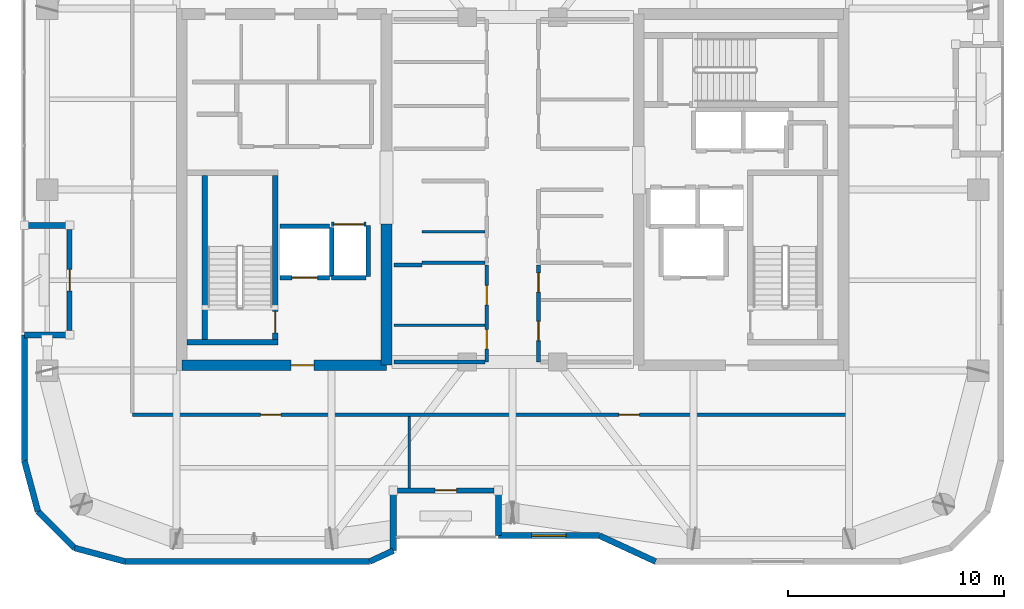
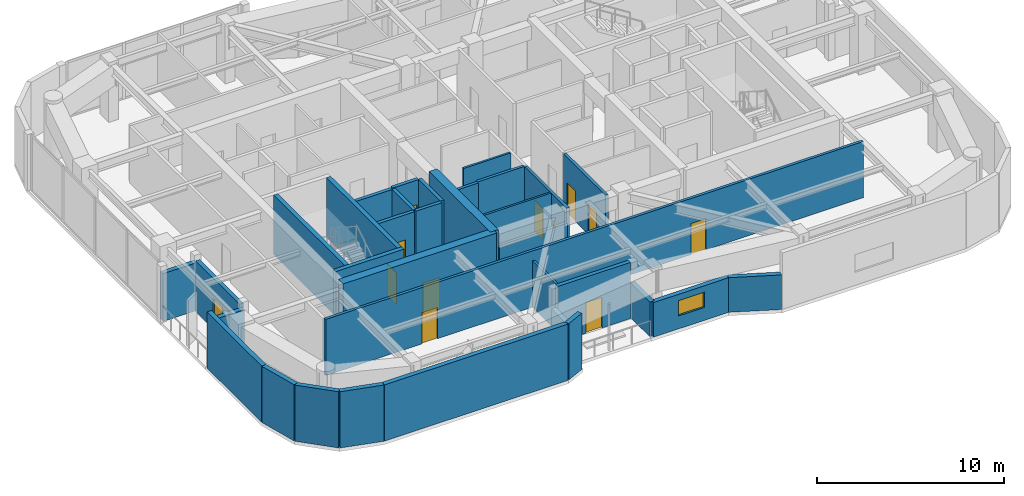
# One storey, part 10 of 15: 34 walls, 12 doors, 1 window, 13 openings.
"""IFC4 building model written with IfcOpenShell, lengths in metres."""

from ifc_helpers import new_model, si_unit, direction, frame, frame_2d, origin, place, context, subcontext, project, spatial, rectangle, extrude, material, layer, layer_set, type_object, element, fill, save


model = new_model("IFC4")

# Units and contexts
model_context = context("Model", 3, precision=1e-05, world=origin(), true_north=direction((0.0, 1.0)))
body_context = subcontext(model_context, "Body", "Model", "MODEL_VIEW")
ifc_project = project(units=[si_unit("LENGTHUNIT", "METRE"), si_unit("AREAUNIT", "SQUARE_METRE"), si_unit("VOLUMEUNIT", "CUBIC_METRE"), si_unit("PLANEANGLEUNIT", "RADIAN"), si_unit("MASSUNIT", "GRAM", prefix="KILO")], contexts=[model_context])

# Site, building, storey
site_placement = place(None, origin())
site = spatial("IfcSite", under=ifc_project, at=site_placement, CompositionType="ELEMENT")
building_placement = place(site_placement, origin())
building = spatial("IfcBuilding", under=site, at=building_placement, Name="Kiyonajd Concourse Tower", CompositionType="ELEMENT")
storey_placement = place(building_placement, frame((0.0, 0.0, 270.60009765625)))
storey = spatial("IfcBuildingStorey", under=building, at=storey_placement, Name="L68", CompositionType="ELEMENT", Elevation=270.60009765625)

# Wall
ifc_material_1 = material(Name="Concrete C60/75", Category="concrete")
ifc_layer_1 = layer(ifc_material_1, 0.5)
ifc_layer_set_1 = layer_set([ifc_layer_1], Name="Concrete C60/75")
wall_type_1 = type_object("IfcWallType", Name="WL-CORE-500", PredefinedType="SHEAR", material=ifc_layer_set_1)
wall_1_placement = place(storey_placement, frame((42.14990234375, 27.85009765625, 0.0), z_axis=(0.0, 0.0, 1.0), x_axis=(0.0, 1.0, 0.0)))
element("IfcWall", 1, at=wall_1_placement, inside=storey, type_object=wall_type_1, Name="L68 West Core Inner South Shear Wall", PredefinedType="SHEAR", context=body_context, shape_type="SweptSolid", body=[
    extrude(rectangle(XDim=6.5498046875, YDim=0.5, at=frame_2d((3.27490234375, 0.0))), origin(), (0.0, 0.0, 1.0), 3.89990234375),
])

# Wall, opening, door
wall_2_placement = place(storey_placement, frame((32.64990234375, 27.85009765625, 0.0), z_axis=(0.0, 0.0, 1.0), x_axis=(1.0, 0.0, 0.0)))
wall_2 = element("IfcWall", 2, at=wall_2_placement, inside=storey, type_object=wall_type_1, Name="L68 West Core South Shear Wall", PredefinedType="SHEAR", context=body_context, shape_type="SweptSolid", body=[
    extrude(rectangle(XDim=9.5, YDim=0.5, at=frame_2d((4.75, 0.0))), origin(), (0.0, 0.0, 1.0), 3.89990234375),
])
opening_1_placement = place(wall_2_placement, frame((5.074951171875, 0.0, 0.0)))
opening_1 = element("IfcOpeningElement", 3, at=opening_1_placement, cuts=wall_2, Name="Opening DF5", PredefinedType="OPENING", context=body_context, shape_type="SweptSolid", body=[
    extrude(rectangle(XDim=1.050048828125, YDim=2.0400390625, at=frame_2d((0.52490234375, 1.02001953125))), frame((0.0, 0.260009765625, 0.0), z_axis=(0.0, -1.0, 0.0), x_axis=(1.0, 0.0, 0.0)), (0.0, 0.0, 1.0), 0.52001953125),
])
ifc_material_2 = material(Name="Brushed Stainless Steel Cab Assembly", Category="steel")
door_type_1 = type_object("IfcDoorType", Name="DR-FD45-1050", OperationType="NOTDEFINED", PredefinedType="DOOR", material=ifc_material_2)
door_1_placement = place(opening_1_placement, origin())
door_1 = element("IfcDoor", 4, at=door_1_placement, inside=storey, type_object=door_type_1, Name="L68 Firefighting Lift Lobby W Smoke Door", OperationType="SINGLE_SWING_LEFT", OverallHeight=2.0400390625, OverallWidth=1.050048828125, PredefinedType="DOOR", context=body_context, shape_type="SweptSolid", body=[
    extrude(rectangle(XDim=1.050048828125, YDim=2.0400390625, at=frame_2d((0.52490234375, 1.02001953125))), frame((0.0, 0.02490234375, 0.0), z_axis=(0.0, -1.0, 0.0), x_axis=(1.0, 0.0, 0.0)), (0.0, 0.0, 1.0), 0.050048828125),
])
fill(opening_1, door_1)

# Walls
ifc_material_3 = material(Name="Precast concrete C50/60", Category="concrete")
ifc_layer_2 = layer(ifc_material_3, 0.280029296875)
ifc_layer_set_2 = layer_set([ifc_layer_2], Name="Precast concrete C50/60")
wall_type_2 = type_object("IfcWallType", Name="WL-EXT-280", PredefinedType="SOLIDWALL", material=ifc_layer_set_2)
wall_3_placement = place(storey_placement, frame((25.968505859375, 21.072509765625, 0.0), z_axis=(0.0, 0.0, 1.0), x_axis=(-0.258751159445, 0.965944013639, 0.0)))
element("IfcWall", 5, at=wall_3_placement, inside=storey, type_object=wall_type_2, Name="L68 Exterior Concrete Frame Wall 00", PredefinedType="SOLIDWALL", context=body_context, shape_type="SweptSolid", body=[
    extrude(rectangle(XDim=2.4287109375, YDim=0.280029296875, at=frame_2d((1.21435546875, 0.0))), origin(), (0.0, 0.0, 1.0), 3.679931640625),
])
wall_4_placement = place(storey_placement, frame((25.340087890625, 23.41845703125, 0.0), z_axis=(0.0, 0.0, 1.0), x_axis=(0.0, 1.0, 0.0)))
element("IfcWall", 6, at=wall_4_placement, inside=storey, type_object=wall_type_2, Name="L68 Exterior Concrete Frame Wall 01", PredefinedType="SOLIDWALL", context=body_context, shape_type="SweptSolid", body=[
    extrude(rectangle(XDim=5.841552734375, YDim=0.280029296875, at=frame_2d((2.9208984375, 0.0))), origin(), (0.0, 0.0, 1.0), 3.679931640625),
])
for number, where, z_axis, x_axis, name in (
    (7, (25.340087890625, 29.260009765625, 0.0), (0.0, 0.0, 1.0), (1.0, 0.0, 0.0), "L68 Exterior Concrete Frame Wall 02"),
    (8, (27.43994140625, 34.340087890625, 0.0), (0.0, 0.0, 1.0), (-1.0, 0.0, 0.0), "L68 Exterior Concrete Frame Wall 04"),
):
    element("IfcWall", number, at=place(storey_placement, frame(where, z_axis=z_axis, x_axis=x_axis)), inside=storey, type_object=wall_type_2, Name=name, PredefinedType="SOLIDWALL", context=body_context, shape_type="SweptSolid", body=[
        extrude(rectangle(XDim=2.099853515625, YDim=0.280029296875, at=frame_2d((1.0498046875, 0.0))), origin(), (0.0, 0.0, 1.0), 3.1259765625),
    ])
wall_5_placement = place(storey_placement, frame((54.630615234375, 18.739990234375, 0.0), z_axis=(0.0, 0.0, 1.0), x_axis=(-0.907956889006, 0.419063584324, 0.0)))
element("IfcWall", 9, at=wall_5_placement, inside=storey, type_object=wall_type_2, Name="L68 Exterior Concrete Frame Wall 29", PredefinedType="SOLIDWALL", context=body_context, shape_type="SweptSolid", body=[
    extrude(rectangle(XDim=2.863525390625, YDim=0.280029296875, at=frame_2d((1.431640625, 0.0))), origin(), (0.0, 0.0, 1.0), 2.264892578125),
])

# Wall, opening, window
wall_6_placement = place(storey_placement, frame((52.03076171875, 19.93994140625, 0.0), z_axis=(0.0, 0.0, 1.0), x_axis=(-1.0, 0.0, 0.0)))
wall_6 = element("IfcWall", 10, at=wall_6_placement, inside=storey, type_object=wall_type_2, Name="L68 Exterior Concrete Frame Wall 30", PredefinedType="SOLIDWALL", context=body_context, shape_type="SweptSolid", body=[
    extrude(rectangle(XDim=4.690673828125, YDim=0.280029296875, at=frame_2d((2.34521484375, 0.0))), origin(), (0.0, 0.0, 1.0), 2.264892578125),
])
opening_2_placement = place(wall_6_placement, frame((1.544921875, 0.0, 0.85009765625)))
opening_2 = element("IfcOpeningElement", 11, at=opening_2_placement, cuts=wall_6, Name="Opening WN6", PredefinedType="OPENING", context=body_context, shape_type="SweptSolid", body=[
    extrude(rectangle(XDim=1.60009765625, YDim=1.0, at=frame_2d((0.800048828125, 0.5))), frame((0.0, 0.14990234375, 0.0), z_axis=(0.0, -1.0, 0.0), x_axis=(1.0, 0.0, 0.0)), (0.0, 0.0, 1.0), 0.300048828125),
])
ifc_material_4 = material(Name="Double Low-E Insulated Glass", Category="glass")
window_type = type_object("IfcWindowType", Name="WN-VIS-1600x1000", PartitioningType="SINGLE_PANEL", PredefinedType="WINDOW", material=ifc_material_4)
window_placement = place(opening_2_placement, origin())
window = element("IfcWindow", 12, at=window_placement, inside=storey, type_object=window_type, Name="L68 Modular Facade Vision Window 30", OverallHeight=1.0, OverallWidth=1.60009765625, PartitioningType="SINGLE_PANEL", PredefinedType="WINDOW", context=body_context, shape_type="SweptSolid", body=[
    extrude(rectangle(XDim=1.60009765625, YDim=1.0, at=frame_2d((0.800048828125, 0.5))), frame((0.0, 0.030029296875, 0.0), z_axis=(0.0, -1.0, 0.0), x_axis=(1.0, 0.0, 0.0)), (0.0, 0.0, 1.0), 0.06005859375),
])
fill(opening_2, window)

# Walls
wall_7_placement = place(storey_placement, frame((47.340087890625, 19.93994140625, 0.0), z_axis=(0.0, 0.0, 1.0), x_axis=(0.0, 1.0, 0.0)))
element("IfcWall", 13, at=wall_7_placement, inside=storey, type_object=wall_type_2, Name="L68 Exterior Concrete Frame Wall 31", PredefinedType="SOLIDWALL", context=body_context, shape_type="SweptSolid", body=[
    extrude(rectangle(XDim=2.10009765625, YDim=0.280029296875, at=frame_2d((1.050048828125, 0.0))), origin(), (0.0, 0.0, 1.0), 2.264892578125),
])
wall_8_placement = place(storey_placement, frame((42.4599609375, 22.0400390625, 0.0), z_axis=(0.0, 0.0, 1.0), x_axis=(0.0, -1.0, 0.0)))
element("IfcWall", 14, at=wall_8_placement, inside=storey, type_object=wall_type_2, Name="L68 Exterior Concrete Frame Wall 33", PredefinedType="SOLIDWALL", context=body_context, shape_type="SweptSolid", body=[
    extrude(rectangle(XDim=2.79638671875, YDim=0.280029296875, at=frame_2d((1.398193359375, 0.0))), origin(), (0.0, 0.0, 1.0), 2.264892578125),
])
wall_9_placement = place(storey_placement, frame((42.4599609375, 19.24365234375, 0.0), z_axis=(0.0, 0.0, 1.0), x_axis=(-0.907893953211, -0.419199916176, 0.0)))
element("IfcWall", 15, at=wall_9_placement, inside=storey, type_object=wall_type_2, Name="L68 Exterior Concrete Frame Wall 34", PredefinedType="SOLIDWALL", context=body_context, shape_type="SweptSolid", body=[
    extrude(rectangle(XDim=1.201416015625, YDim=0.280029296875, at=frame_2d((0.6005859375, 0.0))), origin(), (0.0, 0.0, 1.0), 3.679931640625),
])
wall_10_placement = place(storey_placement, frame((41.369140625, 18.739990234375, 0.0), z_axis=(0.0, 0.0, 1.0), x_axis=(-1.0, 0.0, 0.0)))
element("IfcWall", 16, at=wall_10_placement, inside=storey, type_object=wall_type_2, Name="L68 Exterior Concrete Frame Wall 35", PredefinedType="SOLIDWALL", context=body_context, shape_type="SweptSolid", body=[
    extrude(rectangle(XDim=11.350830078125, YDim=0.280029296875, at=frame_2d((5.67529296875, 0.0))), origin(), (0.0, 0.0, 1.0), 3.679931640625),
])
wall_11_placement = place(storey_placement, frame((30.018310546875, 18.739990234375, 0.0), z_axis=(0.0, 0.0, 1.0), x_axis=(-0.965937282298, 0.25877628691, 0.0)))
element("IfcWall", 17, at=wall_11_placement, inside=storey, type_object=wall_type_2, Name="L68 Exterior Concrete Frame Wall 36", PredefinedType="SOLIDWALL", context=body_context, shape_type="SweptSolid", body=[
    extrude(rectangle(XDim=2.428466796875, YDim=0.280029296875, at=frame_2d((1.21435546875, 0.0))), origin(), (0.0, 0.0, 1.0), 3.679931640625),
])
wall_12_placement = place(storey_placement, frame((27.672607421875, 19.368408203125, 0.0), z_axis=(0.0, 0.0, 1.0), x_axis=(-0.707106781187, 0.707106781187, 0.0)))
element("IfcWall", 18, at=wall_12_placement, inside=storey, type_object=wall_type_2, Name="L68 Exterior Concrete Frame Wall 37", PredefinedType="SOLIDWALL", context=body_context, shape_type="SweptSolid", body=[
    extrude(rectangle(XDim=2.409912109375, YDim=0.280029296875, at=frame_2d((1.205078125, 0.0))), origin(), (0.0, 0.0, 1.0), 3.679931640625),
])

# Wall, opening, door
ifc_layer_3 = layer(ifc_material_3, 0.239990234375)
ifc_layer_set_3 = layer_set([ifc_layer_3], Name="Precast concrete C50/60")
wall_type_3 = type_object("IfcWallType", Name="WL-LOG-240", PredefinedType="SOLIDWALL", material=ifc_layer_set_3)
wall_13_placement = place(storey_placement, frame((27.43994140625, 29.455078125, 0.0), z_axis=(0.0, 0.0, 1.0), x_axis=(0.0, 1.0, 0.0)))
wall_13 = element("IfcWall", 19, at=wall_13_placement, inside=storey, type_object=wall_type_3, Name="L68 Recessed Loggia Thermal Wall LOG-W", PredefinedType="SOLIDWALL", context=body_context, shape_type="SweptSolid", body=[
    extrude(rectangle(XDim=4.68994140625, YDim=0.239990234375, at=frame_2d((2.344970703125, 0.0))), origin(), (0.0, 0.0, 1.0), 3.310791015625),
])
opening_3_placement = place(wall_13_placement, frame((1.844970703125, 0.0, 0.0)))
opening_3 = element("IfcOpeningElement", 20, at=opening_3_placement, cuts=wall_13, Name="Opening DL1", PredefinedType="OPENING", context=body_context, shape_type="SweptSolid", body=[
    extrude(rectangle(XDim=1.0, YDim=2.02001953125, at=frame_2d((0.5, 1.010009765625))), frame((0.0, 0.1298828125, 0.0), z_axis=(0.0, -1.0, 0.0), x_axis=(1.0, 0.0, 0.0)), (0.0, 0.0, 1.0), 0.260009765625),
])
ifc_material_5 = material(Name="Thermally Broken Anodised Aluminium", Category="aluminium")
door_type_2 = type_object("IfcDoorType", Name="DR-LOG-1000", OperationType="NOTDEFINED", PredefinedType="DOOR", material=ifc_material_5)
door_2_placement = place(opening_3_placement, origin())
door_2 = element("IfcDoor", 21, at=door_2_placement, inside=storey, type_object=door_type_2, Name="L68 Engawa Loggia Access Door LOG-W", OperationType="SINGLE_SWING_LEFT", OverallHeight=2.02001953125, OverallWidth=1.0, PredefinedType="DOOR", context=body_context, shape_type="SweptSolid", body=[
    extrude(rectangle(XDim=1.0, YDim=2.02001953125, at=frame_2d((0.5, 1.010009765625))), frame((0.0, 0.02490234375, 0.0), z_axis=(0.0, -1.0, 0.0), x_axis=(1.0, 0.0, 0.0)), (0.0, 0.0, 1.0), 0.050048828125),
])
fill(opening_3, door_2)

wall_14_placement = place(storey_placement, frame((47.14501953125, 22.0400390625, 0.0), z_axis=(0.0, 0.0, 1.0), x_axis=(-1.0, 0.0, 0.0)))
wall_14 = element("IfcWall", 22, at=wall_14_placement, inside=storey, type_object=wall_type_3, Name="L68 Recessed Loggia Thermal Wall LOG-S", PredefinedType="SOLIDWALL", context=body_context, shape_type="SweptSolid", body=[
    extrude(rectangle(XDim=4.489990234375, YDim=0.239990234375, at=frame_2d((2.2451171875, 0.0))), origin(), (0.0, 0.0, 1.0), 3.679931640625),
])
opening_4_placement = place(wall_14_placement, frame((1.7451171875, 0.0, 0.0)))
opening_4 = element("IfcOpeningElement", 23, at=opening_4_placement, cuts=wall_14, Name="Opening DL1", PredefinedType="OPENING", context=body_context, shape_type="SweptSolid", body=[
    extrude(rectangle(XDim=1.0, YDim=2.02001953125, at=frame_2d((0.5, 1.010009765625))), frame((0.0, 0.1298828125, 0.0), z_axis=(0.0, -1.0, 0.0), x_axis=(1.0, 0.0, 0.0)), (0.0, 0.0, 1.0), 0.260009765625),
])
door_3_placement = place(opening_4_placement, origin())
door_3 = element("IfcDoor", 24, at=door_3_placement, inside=storey, type_object=door_type_2, Name="L68 Engawa Loggia Access Door LOG-S", OperationType="SINGLE_SWING_RIGHT", OverallHeight=2.02001953125, OverallWidth=1.0, PredefinedType="DOOR", context=body_context, shape_type="SweptSolid", body=[
    extrude(rectangle(XDim=1.0, YDim=2.02001953125, at=frame_2d((0.5, 1.010009765625))), frame((0.0, 0.02490234375, 0.0), z_axis=(0.0, -1.0, 0.0), x_axis=(1.0, 0.0, 0.0)), (0.0, 0.0, 1.0), 0.050048828125),
])
fill(opening_4, door_3)

# Walls
ifc_material_6 = material(Name="Gypsum Board on Cold-Formed Steel Stud", Category="steel")
ifc_layer_4 = layer(ifc_material_6, 0.125)
ifc_layer_set_4 = layer_set([ifc_layer_4], Name="Gypsum Board on Cold-Formed Steel Stud")
wall_type_4 = type_object("IfcWallType", Name="WL-PART-125", PredefinedType="PARTITIONING", material=ifc_layer_set_4)
wall_15_placement = place(storey_placement, frame((43.800048828125, 34.0439453125, 0.0), z_axis=(0.0, 0.0, 1.0), x_axis=(1.0, 0.0, 0.0)))
element("IfcWall", 25, at=wall_15_placement, inside=storey, type_object=wall_type_4, Name="L68 Interior Partition Wall", PredefinedType="PARTITIONING", context=body_context, shape_type="SweptSolid", body=[
    extrude(rectangle(XDim=2.912841796875, YDim=0.125, at=frame_2d((1.45654296875, 0.0))), origin(), (0.0, 0.0, 1.0), 3.679931640625),
])
wall_16_placement = place(storey_placement, frame((42.5, 29.7099609375, 0.0), z_axis=(0.0, 0.0, 1.0), x_axis=(1.0, 0.0, 0.0)))
element("IfcWall", 26, at=wall_16_placement, inside=storey, type_object=wall_type_4, Name="L68 Interior Partition Wall", PredefinedType="PARTITIONING", context=body_context, shape_type="SweptSolid", body=[
    extrude(rectangle(XDim=4.212890625, YDim=0.125, at=frame_2d((2.1064453125, 0.0))), origin(), (0.0, 0.0, 1.0), 3.679931640625),
])
wall_17_placement = place(storey_placement, frame((43.199951171875, 22.155029296875, 0.0), z_axis=(0.0, 0.0, 1.0), x_axis=(0.0, 1.0, 0.0)))
element("IfcWall", 27, at=wall_17_placement, inside=storey, type_object=wall_type_4, Name="L68 Interior Partition Wall", PredefinedType="PARTITIONING", context=body_context, shape_type="SweptSolid", body=[
    extrude(rectangle(XDim=3.307861328125, YDim=0.125, at=frame_2d((1.65380859375, 0.0))), origin(), (0.0, 0.0, 1.0), 3.04296875),
])

# Wall, opening, door
ifc_layer_5 = layer(ifc_material_6, 0.2099609375)
ifc_layer_set_5 = layer_set([ifc_layer_5], Name="Gypsum Board on Cold-Formed Steel Stud")
wall_type_5 = type_object("IfcWallType", Name="WL-SHAFT-210", PredefinedType="PARTITIONING", material=ifc_layer_set_5)
wall_18_placement = place(storey_placement, frame((37.199951171875, 31.89990234375, 0.0), z_axis=(0.0, 0.0, 1.0), x_axis=(1.0, 0.0, 0.0)))
wall_18 = element("IfcWall", 28, at=wall_18_placement, inside=storey, type_object=wall_type_5, Name="L68 Shaft Enclosure Wall", PredefinedType="PARTITIONING", context=body_context, shape_type="SweptSolid", body=[
    extrude(rectangle(XDim=2.300048828125, YDim=0.2099609375, at=frame_2d((1.14990234375, 0.0))), origin(), (0.0, 0.0, 1.0), 3.679931640625),
])
opening_5_placement = place(wall_18_placement, frame((0.550048828125, 0.0, 0.0)))
opening_5 = element("IfcOpeningElement", 29, at=opening_5_placement, cuts=wall_18, Name="Opening LD2", PredefinedType="OPENING", context=body_context, shape_type="SweptSolid", body=[
    extrude(rectangle(XDim=1.199951171875, YDim=2.0400390625, at=frame_2d((0.60009765625, 1.02001953125))), frame((0.0, 0.114990234375, 0.0), z_axis=(0.0, -1.0, 0.0), x_axis=(1.0, 0.0, 0.0)), (0.0, 0.0, 1.0), 0.22998046875),
])
door_type_3 = type_object("IfcDoorType", Name="DR-LD-1200", OperationType="DOUBLE_DOOR_SLIDING", PredefinedType="DOOR", material=ifc_material_2)
door_4_placement = place(opening_5_placement, origin())
door_4 = element("IfcDoor", 30, at=door_4_placement, inside=storey, type_object=door_type_3, Name="L68 Lift FFL1 Sliding Landing Door", OperationType="DOUBLE_DOOR_SLIDING", OverallHeight=2.0400390625, OverallWidth=1.199951171875, PredefinedType="DOOR", context=body_context, shape_type="SweptSolid", body=[
    extrude(rectangle(XDim=1.199951171875, YDim=2.0400390625, at=frame_2d((0.60009765625, 1.02001953125))), frame((0.0, 0.02490234375, 0.0), z_axis=(0.0, -1.0, 0.0), x_axis=(1.0, 0.0, 0.0)), (0.0, 0.0, 1.0), 0.050048828125),
])
fill(opening_5, door_4)

# Walls
wall_19_placement = place(storey_placement, frame((37.199951171875, 34.300048828125, 0.0), z_axis=(0.0, 0.0, 1.0), x_axis=(1.0, 0.0, 0.0)))
element("IfcWall", 31, at=wall_19_placement, inside=storey, type_object=wall_type_5, Name="L68 Shaft Enclosure Wall", PredefinedType="PARTITIONING", context=body_context, shape_type="SweptSolid", body=[
    extrude(rectangle(XDim=2.300048828125, YDim=0.2099609375, at=frame_2d((1.14990234375, 0.0))), origin(), (0.0, 0.0, 1.0), 3.679931640625),
])
wall_20_placement = place(storey_placement, frame((39.60009765625, 31.9599609375, 0.0), z_axis=(0.0, 0.0, 1.0), x_axis=(0.0, 1.0, 0.0)))
element("IfcWall", 32, at=wall_20_placement, inside=storey, type_object=wall_type_5, Name="L68 Shaft Enclosure Wall", PredefinedType="PARTITIONING", context=body_context, shape_type="SweptSolid", body=[
    extrude(rectangle(XDim=2.280029296875, YDim=0.2099609375, at=frame_2d((1.14013671875, 0.0))), origin(), (0.0, 0.0, 1.0), 3.679931640625),
])

# Wall, opening, door
wall_21_placement = place(storey_placement, frame((39.60009765625, 34.39990234375, 0.0), z_axis=(0.0, 0.0, 1.0), x_axis=(1.0, 0.0, 0.0)))
wall_21 = element("IfcWall", 33, at=wall_21_placement, inside=storey, type_object=wall_type_5, Name="L68 Shaft Enclosure Wall", PredefinedType="PARTITIONING", context=body_context, shape_type="SweptSolid", body=[
    extrude(rectangle(XDim=1.599853515625, YDim=0.2099609375, at=frame_2d((0.7998046875, 0.0))), origin(), (0.0, 0.0, 1.0), 3.679931640625),
])
opening_6_placement = place(wall_21_placement, frame((0.10009765625, 0.0, 0.0)))
opening_6 = element("IfcOpeningElement", 34, at=opening_6_placement, cuts=wall_21, Name="Opening LD3", PredefinedType="OPENING", context=body_context, shape_type="SweptSolid", body=[
    extrude(rectangle(XDim=1.39990234375, YDim=2.06005859375, at=frame_2d((0.699951171875, 1.030029296875))), frame((0.0, 0.114990234375, 0.0), z_axis=(0.0, -1.0, 0.0), x_axis=(1.0, 0.0, 0.0)), (0.0, 0.0, 1.0), 0.22998046875),
])
door_type_4 = type_object("IfcDoorType", Name="DR-LD-1400", OperationType="DOUBLE_DOOR_SLIDING", PredefinedType="DOOR", material=ifc_material_2)
door_5_placement = place(opening_6_placement, origin())
door_5 = element("IfcDoor", 35, at=door_5_placement, inside=storey, type_object=door_type_4, Name="L68 Lift SVL1 Sliding Landing Door", OperationType="DOUBLE_DOOR_SLIDING", OverallHeight=2.06005859375, OverallWidth=1.39990234375, PredefinedType="DOOR", context=body_context, shape_type="SweptSolid", body=[
    extrude(rectangle(XDim=1.39990234375, YDim=2.06005859375, at=frame_2d((0.699951171875, 1.030029296875))), frame((0.0, 0.02490234375, 0.0), z_axis=(0.0, -1.0, 0.0), x_axis=(1.0, 0.0, 0.0)), (0.0, 0.0, 1.0), 0.050048828125),
])
fill(opening_6, door_5)

# Walls
wall_22_placement = place(storey_placement, frame((39.60009765625, 31.89990234375, 0.0), z_axis=(0.0, 0.0, 1.0), x_axis=(1.0, 0.0, 0.0)))
element("IfcWall", 36, at=wall_22_placement, inside=storey, type_object=wall_type_5, Name="L68 Shaft Enclosure Wall", PredefinedType="PARTITIONING", context=body_context, shape_type="SweptSolid", body=[
    extrude(rectangle(XDim=1.599853515625, YDim=0.2099609375, at=frame_2d((0.7998046875, 0.0))), origin(), (0.0, 0.0, 1.0), 3.679931640625),
])
wall_23_placement = place(storey_placement, frame((41.300048828125, 31.9599609375, 0.0), z_axis=(0.0, 0.0, 1.0), x_axis=(0.0, 1.0, 0.0)))
element("IfcWall", 37, at=wall_23_placement, inside=storey, type_object=wall_type_5, Name="L68 Shaft Enclosure Wall", PredefinedType="PARTITIONING", context=body_context, shape_type="SweptSolid", body=[
    extrude(rectangle(XDim=2.380126953125, YDim=0.2099609375, at=frame_2d((1.18994140625, 0.0))), origin(), (0.0, 0.0, 1.0), 3.679931640625),
])
ifc_layer_6 = layer(ifc_material_6, 0.169921875)
ifc_layer_set_6 = layer_set([ifc_layer_6], Name="Gypsum Board on Cold-Formed Steel Stud")
wall_type_6 = type_object("IfcWallType", Name="WL-SMK-170", PredefinedType="PARTITIONING", material=ifc_layer_set_6)
wall_24_placement = place(storey_placement, frame((43.800048828125, 32.60009765625, 0.0), z_axis=(0.0, 0.0, 1.0), x_axis=(1.0, 0.0, 0.0)))
element("IfcWall", 38, at=wall_24_placement, inside=storey, type_object=wall_type_6, Name="L68 Interior Partition Wall", PredefinedType="PARTITIONING", context=body_context, shape_type="SweptSolid", body=[
    extrude(rectangle(XDim=2.912841796875, YDim=0.169921875, at=frame_2d((1.45654296875, 0.0))), origin(), (0.0, 0.0, 1.0), 3.679931640625),
])

# Wall, openings, doors
wall_25_placement = place(storey_placement, frame((46.800048828125, 28.0, 0.0), z_axis=(0.0, 0.0, 1.0), x_axis=(0.0, 1.0, 0.0)))
wall_25 = element("IfcWall", 39, at=wall_25_placement, inside=storey, type_object=wall_type_6, Name="L68 Interior Partition Wall", PredefinedType="PARTITIONING", context=body_context, shape_type="SweptSolid", body=[
    extrude(rectangle(XDim=4.5, YDim=0.169921875, at=frame_2d((2.25, 0.0))), origin(), (0.0, 0.0, 1.0), 3.679931640625),
])
opening_7_placement = place(wall_25_placement, frame((0.60498046875, 0.0, 0.0)))
opening_7 = element("IfcOpeningElement", 40, at=opening_7_placement, cuts=wall_25, Name="Opening DI2", PredefinedType="OPENING", context=body_context, shape_type="SweptSolid", body=[
    extrude(rectangle(XDim=0.89990234375, YDim=2.02001953125, at=frame_2d((0.449951171875, 1.010009765625))), frame((0.0, 0.094970703125, 0.0), z_axis=(0.0, -1.0, 0.0), x_axis=(1.0, 0.0, 0.0)), (0.0, 0.0, 1.0), 0.18994140625),
])
opening_8_placement = place(wall_25_placement, frame((2.655029296875, 0.0, 0.0)))
opening_8 = element("IfcOpeningElement", 41, at=opening_8_placement, cuts=wall_25, Name="Opening DI2", PredefinedType="OPENING", context=body_context, shape_type="SweptSolid", body=[
    extrude(rectangle(XDim=0.89990234375, YDim=2.02001953125, at=frame_2d((0.449951171875, 1.010009765625))), frame((0.0, 0.094970703125, 0.0), z_axis=(0.0, -1.0, 0.0), x_axis=(1.0, 0.0, 0.0)), (0.0, 0.0, 1.0), 0.18994140625),
])
ifc_material_7 = material(Name="Natural Oak Acoustic Timber Veneer", Category="wood")
door_type_5 = type_object("IfcDoorType", Name="DR-INT-900", OperationType="NOTDEFINED", PredefinedType="DOOR", material=ifc_material_7)
door_6_placement = place(opening_7_placement, origin())
door_6 = element("IfcDoor", 42, at=door_6_placement, inside=storey, type_object=door_type_5, Name="L68 Interior Door", OperationType="SINGLE_SWING_RIGHT", OverallHeight=2.02001953125, OverallWidth=0.89990234375, PredefinedType="DOOR", context=body_context, shape_type="SweptSolid", body=[
    extrude(rectangle(XDim=0.89990234375, YDim=2.02001953125, at=frame_2d((0.449951171875, 1.010009765625))), frame((0.0, 0.02490234375, 0.0), z_axis=(0.0, -1.0, 0.0), x_axis=(1.0, 0.0, 0.0)), (0.0, 0.0, 1.0), 0.050048828125),
])
fill(opening_7, door_6)
door_7_placement = place(opening_8_placement, origin())
door_7 = element("IfcDoor", 43, at=door_7_placement, inside=storey, type_object=door_type_5, Name="L68 Interior Door", OperationType="SINGLE_SWING_LEFT", OverallHeight=2.02001953125, OverallWidth=0.89990234375, PredefinedType="DOOR", context=body_context, shape_type="SweptSolid", body=[
    extrude(rectangle(XDim=0.89990234375, YDim=2.02001953125, at=frame_2d((0.449951171875, 1.010009765625))), frame((0.0, 0.02490234375, 0.0), z_axis=(0.0, -1.0, 0.0), x_axis=(1.0, 0.0, 0.0)), (0.0, 0.0, 1.0), 0.050048828125),
])
fill(opening_8, door_7)

# Walls
wall_26_placement = place(storey_placement, frame((42.5, 28.0, 0.0), z_axis=(0.0, 0.0, 1.0), x_axis=(1.0, 0.0, 0.0)))
element("IfcWall", 44, at=wall_26_placement, inside=storey, type_object=wall_type_6, Name="L68 Interior Partition Wall", PredefinedType="PARTITIONING", context=body_context, shape_type="SweptSolid", body=[
    extrude(rectangle(XDim=4.212890625, YDim=0.169921875, at=frame_2d((2.1064453125, 0.0))), origin(), (0.0, 0.0, 1.0), 2.764892578125),
])
wall_27_placement = place(storey_placement, frame((42.5, 32.5, 0.0), z_axis=(0.0, 0.0, 1.0), x_axis=(1.0, 0.0, 0.0)))
element("IfcWall", 45, at=wall_27_placement, inside=storey, type_object=wall_type_6, Name="L68 Interior Partition Wall", PredefinedType="PARTITIONING", context=body_context, shape_type="SweptSolid", body=[
    extrude(rectangle(XDim=1.300048828125, YDim=0.169921875, at=frame_2d((0.64990234375, 0.0))), origin(), (0.0, 0.0, 1.0), 3.679931640625),
])

# Wall, openings, doors
wall_28_placement = place(storey_placement, frame((49.199951171875, 28.0, 0.0), z_axis=(0.0, 0.0, 1.0), x_axis=(0.0, 1.0, 0.0)))
wall_28 = element("IfcWall", 46, at=wall_28_placement, inside=storey, type_object=wall_type_6, Name="L68 Interior Partition Wall", PredefinedType="PARTITIONING", context=body_context, shape_type="SweptSolid", body=[
    extrude(rectangle(XDim=4.5, YDim=0.169921875, at=frame_2d((2.25, 0.0))), origin(), (0.0, 0.0, 1.0), 3.679931640625),
])
opening_9_placement = place(wall_28_placement, frame((0.989990234375, 0.0, 0.0)))
opening_9 = element("IfcOpeningElement", 47, at=opening_9_placement, cuts=wall_28, Name="Opening DF4", PredefinedType="OPENING", context=body_context, shape_type="SweptSolid", body=[
    extrude(rectangle(XDim=0.89990234375, YDim=2.02001953125, at=frame_2d((0.449951171875, 1.010009765625))), frame((0.0, 0.094970703125, 0.0), z_axis=(0.0, -1.0, 0.0), x_axis=(1.0, 0.0, 0.0)), (0.0, 0.0, 1.0), 0.18994140625),
])
opening_10_placement = place(wall_28_placement, frame((3.239990234375, 0.0, 0.0)))
opening_10 = element("IfcOpeningElement", 48, at=opening_10_placement, cuts=wall_28, Name="Opening DF4", PredefinedType="OPENING", context=body_context, shape_type="SweptSolid", body=[
    extrude(rectangle(XDim=0.89990234375, YDim=2.02001953125, at=frame_2d((0.449951171875, 1.010009765625))), frame((0.0, 0.094970703125, 0.0), z_axis=(0.0, -1.0, 0.0), x_axis=(1.0, 0.0, 0.0)), (0.0, 0.0, 1.0), 0.18994140625),
])
door_type_6 = type_object("IfcDoorType", Name="DR-FD60-900", OperationType="NOTDEFINED", PredefinedType="DOOR", material=ifc_material_2)
door_8_placement = place(opening_9_placement, origin())
door_8 = element("IfcDoor", 49, at=door_8_placement, inside=storey, type_object=door_type_6, Name="L68 Interior Door", OperationType="SINGLE_SWING_RIGHT", OverallHeight=2.02001953125, OverallWidth=0.89990234375, PredefinedType="DOOR", context=body_context, shape_type="SweptSolid", body=[
    extrude(rectangle(XDim=0.89990234375, YDim=2.02001953125, at=frame_2d((0.449951171875, 1.010009765625))), frame((0.0, 0.02490234375, 0.0), z_axis=(0.0, -1.0, 0.0), x_axis=(1.0, 0.0, 0.0)), (0.0, 0.0, 1.0), 0.050048828125),
])
fill(opening_9, door_8)
door_9_placement = place(opening_10_placement, origin())
door_9 = element("IfcDoor", 50, at=door_9_placement, inside=storey, type_object=door_type_6, Name="L68 Interior Door", OperationType="SINGLE_SWING_LEFT", OverallHeight=2.02001953125, OverallWidth=0.89990234375, PredefinedType="DOOR", context=body_context, shape_type="SweptSolid", body=[
    extrude(rectangle(XDim=0.89990234375, YDim=2.02001953125, at=frame_2d((0.449951171875, 1.010009765625))), frame((0.0, 0.02490234375, 0.0), z_axis=(0.0, -1.0, 0.0), x_axis=(1.0, 0.0, 0.0)), (0.0, 0.0, 1.0), 0.050048828125),
])
fill(opening_10, door_9)

wall_29_placement = place(storey_placement, frame((30.35009765625, 25.550048828125, 0.0), z_axis=(0.0, 0.0, 1.0), x_axis=(1.0, 0.0, 0.0)))
wall_29 = element("IfcWall", 51, at=wall_29_placement, inside=storey, type_object=wall_type_6, Name="L68 Interior Partition Wall", PredefinedType="PARTITIONING", context=body_context, shape_type="SweptSolid", body=[
    extrude(rectangle(XDim=33.25, YDim=0.169921875, at=frame_2d((16.625, 0.0))), origin(), (0.0, 0.0, 1.0), 3.679931640625),
])
opening_11_placement = place(wall_29_placement, frame((5.949951171875, 0.0, 0.0)))
opening_11 = element("IfcOpeningElement", 52, at=opening_11_placement, cuts=wall_29, Name="Opening DI1", PredefinedType="OPENING", context=body_context, shape_type="SweptSolid", body=[
    extrude(rectangle(XDim=0.949951171875, YDim=2.0400390625, at=frame_2d((0.47509765625, 1.02001953125))), frame((0.0, 0.094970703125, 0.0), z_axis=(0.0, -1.0, 0.0), x_axis=(1.0, 0.0, 0.0)), (0.0, 0.0, 1.0), 0.18994140625),
])
opening_12_placement = place(wall_29_placement, frame((22.574951171875, 0.0, 0.0)))
opening_12 = element("IfcOpeningElement", 53, at=opening_12_placement, cuts=wall_29, Name="Opening DI1", PredefinedType="OPENING", context=body_context, shape_type="SweptSolid", body=[
    extrude(rectangle(XDim=0.949951171875, YDim=2.0400390625, at=frame_2d((0.47509765625, 1.02001953125))), frame((0.0, 0.094970703125, 0.0), z_axis=(0.0, -1.0, 0.0), x_axis=(1.0, 0.0, 0.0)), (0.0, 0.0, 1.0), 0.18994140625),
])
door_type_7 = type_object("IfcDoorType", Name="DR-INT-950", OperationType="NOTDEFINED", PredefinedType="DOOR", material=ifc_material_7)
door_10_placement = place(opening_11_placement, origin())
door_10 = element("IfcDoor", 54, at=door_10_placement, inside=storey, type_object=door_type_7, Name="L68 Interior Door", OperationType="SINGLE_SWING_LEFT", OverallHeight=2.0400390625, OverallWidth=0.949951171875, PredefinedType="DOOR", context=body_context, shape_type="SweptSolid", body=[
    extrude(rectangle(XDim=0.949951171875, YDim=2.0400390625, at=frame_2d((0.47509765625, 1.02001953125))), frame((0.0, 0.02490234375, 0.0), z_axis=(0.0, -1.0, 0.0), x_axis=(1.0, 0.0, 0.0)), (0.0, 0.0, 1.0), 0.050048828125),
])
fill(opening_11, door_10)
door_11_placement = place(opening_12_placement, origin())
door_11 = element("IfcDoor", 55, at=door_11_placement, inside=storey, type_object=door_type_7, Name="L68 Interior Door", OperationType="SINGLE_SWING_RIGHT", OverallHeight=2.0400390625, OverallWidth=0.949951171875, PredefinedType="DOOR", context=body_context, shape_type="SweptSolid", body=[
    extrude(rectangle(XDim=0.949951171875, YDim=2.0400390625, at=frame_2d((0.47509765625, 1.02001953125))), frame((0.0, 0.02490234375, 0.0), z_axis=(0.0, -1.0, 0.0), x_axis=(1.0, 0.0, 0.0)), (0.0, 0.0, 1.0), 0.050048828125),
])
fill(opening_12, door_11)

# Walls
ifc_material_8 = material(Name="Concrete C50/60", Category="concrete")
ifc_layer_7 = layer(ifc_material_8, 0.260009765625)
ifc_layer_set_7 = layer_set([ifc_layer_7], Name="Concrete C50/60")
wall_type_7 = type_object("IfcWallType", Name="WL-STAIR-260", PredefinedType="SHEAR", material=ifc_layer_set_7)
wall_30_placement = place(storey_placement, frame((32.89990234375, 28.919921875, 0.0), z_axis=(0.0, 0.0, 1.0), x_axis=(1.0, 0.0, 0.0)))
element("IfcWall", 56, at=wall_30_placement, inside=storey, type_object=wall_type_7, Name="L68 Stair ST1 Structural South Wall", PredefinedType="SHEAR", context=body_context, shape_type="SweptSolid", body=[
    extrude(rectangle(XDim=4.210205078125, YDim=0.260009765625, at=frame_2d((2.10498046875, 0.0))), origin(), (0.0, 0.0, 1.0), 3.89990234375),
])
wall_31_placement = place(storey_placement, frame((33.719970703125, 29.050048828125, 0.0), z_axis=(0.0, 0.0, 1.0), x_axis=(0.0, 1.0, 0.0)))
element("IfcWall", 57, at=wall_31_placement, inside=storey, type_object=wall_type_7, Name="L68 Stair ST1 Structural West Wall", PredefinedType="SHEAR", context=body_context, shape_type="SweptSolid", body=[
    extrude(rectangle(XDim=7.599853515625, YDim=0.260009765625, at=frame_2d((3.7998046875, 0.0))), origin(), (0.0, 0.0, 1.0), 3.89990234375),
])

# Wall, opening, door
wall_32_placement = place(storey_placement, frame((36.97998046875, 29.050048828125, 0.0), z_axis=(0.0, 0.0, 1.0), x_axis=(0.0, 1.0, 0.0)))
wall_32 = element("IfcWall", 58, at=wall_32_placement, inside=storey, type_object=wall_type_7, Name="L68 Stair ST1 Structural East Wall", PredefinedType="SHEAR", context=body_context, shape_type="SweptSolid", body=[
    extrude(rectangle(XDim=7.599853515625, YDim=0.260009765625, at=frame_2d((3.7998046875, 0.0))), origin(), (0.0, 0.0, 1.0), 3.89990234375),
])
opening_13_placement = place(wall_32_placement, frame((0.300048828125, 0.0, 0.0)))
opening_13 = element("IfcOpeningElement", 59, at=opening_13_placement, cuts=wall_32, Name="Opening DF1", PredefinedType="OPENING", context=body_context, shape_type="SweptSolid", body=[
    extrude(rectangle(XDim=1.0, YDim=2.0400390625, at=frame_2d((0.5, 1.02001953125))), frame((0.0, 0.139892578125, 0.0), z_axis=(0.0, -1.0, 0.0), x_axis=(1.0, 0.0, 0.0)), (0.0, 0.0, 1.0), 0.280029296875),
])
door_type_8 = type_object("IfcDoorType", Name="DR-FD90-1000", OperationType="NOTDEFINED", PredefinedType="DOOR", material=ifc_material_2)
door_12_placement = place(opening_13_placement, origin())
door_12 = element("IfcDoor", 60, at=door_12_placement, inside=storey, type_object=door_type_8, Name="L68 Stair ST1 FSAE Door", OperationType="SINGLE_SWING_LEFT", OverallHeight=2.0400390625, OverallWidth=1.0, PredefinedType="DOOR", context=body_context, shape_type="SweptSolid", body=[
    extrude(rectangle(XDim=1.0, YDim=2.0400390625, at=frame_2d((0.5, 1.02001953125))), frame((0.0, 0.02490234375, 0.0), z_axis=(0.0, -1.0, 0.0), x_axis=(1.0, 0.0, 0.0)), (0.0, 0.0, 1.0), 0.050048828125),
])
fill(opening_13, door_12)

save(model, "model.ifc")
